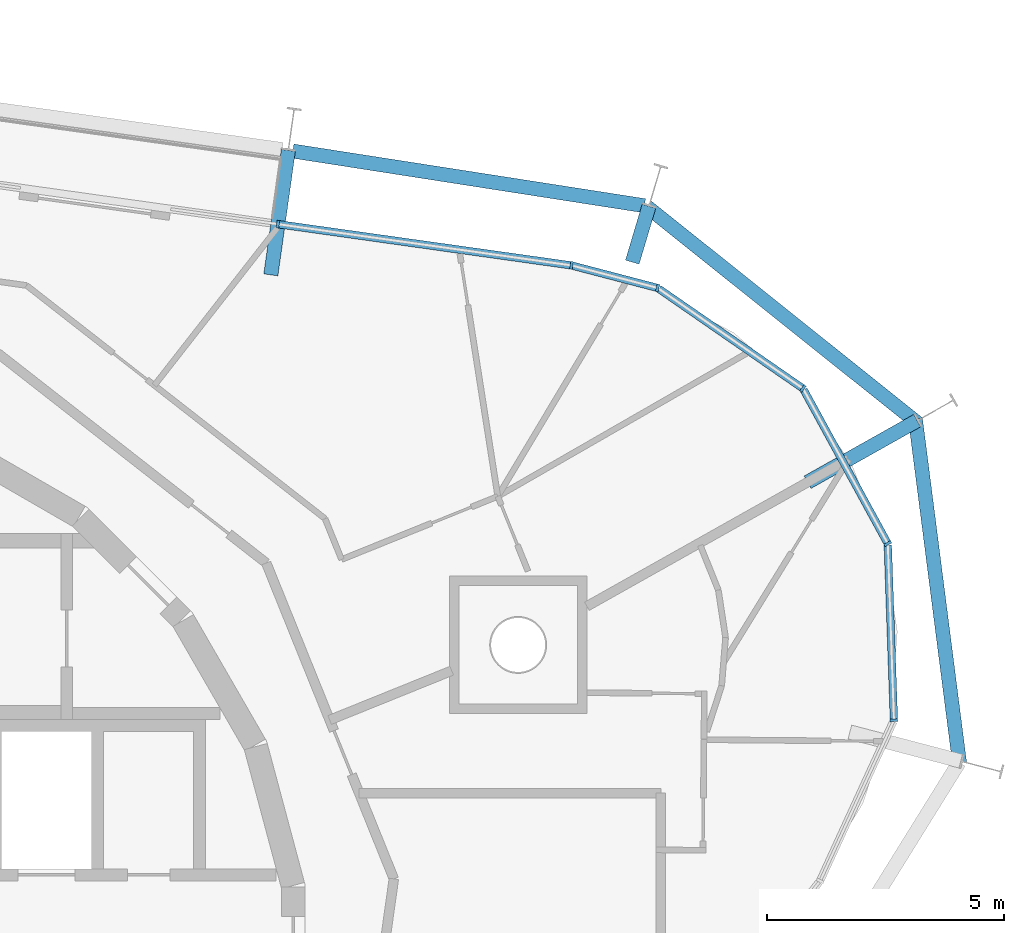
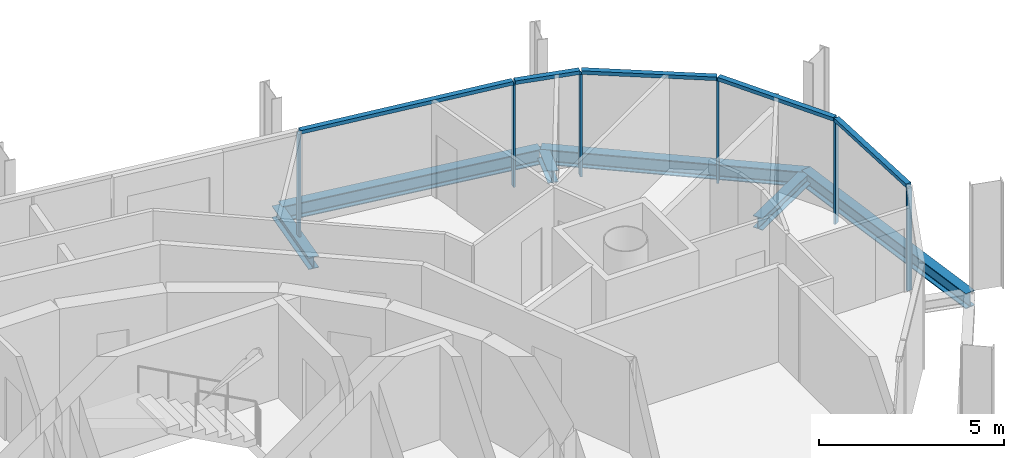
# One storey, part 7 of 15: 11 members, 6 beams, 2 elements without a shape of their own.
"""IFC4 building model written with IfcOpenShell, lengths in metres."""

from ifc_helpers import new_model, si_unit, direction, frame, origin, origin_2d, place, context, subcontext, project, spatial, rectangle, i_section, extrude, material, layer, layer_set, material_profile, profile_set, type_object, element, aggregate, save


model = new_model("IFC4")

# Units and contexts
model_context = context("Model", 3, precision=1e-05, world=origin(), true_north=direction((0.0, 1.0)))
body_context = subcontext(model_context, "Body", "Model", "MODEL_VIEW")
ifc_project = project(units=[si_unit("LENGTHUNIT", "METRE"), si_unit("AREAUNIT", "SQUARE_METRE"), si_unit("VOLUMEUNIT", "CUBIC_METRE"), si_unit("PLANEANGLEUNIT", "RADIAN"), si_unit("MASSUNIT", "GRAM", prefix="KILO")], contexts=[model_context])

# Site, building, storey
site_placement = place(None, origin())
site = spatial("IfcSite", under=ifc_project, at=site_placement, CompositionType="ELEMENT")
building_placement = place(site_placement, origin())
building = spatial("IfcBuilding", under=site, at=building_placement, Name="Spindle Arch Residences", CompositionType="ELEMENT")
storey_placement = place(building_placement, frame((0.0, 0.0, 350.5)))
storey = spatial("IfcBuildingStorey", under=building, at=storey_placement, Name="L90", CompositionType="ELEMENT", Elevation=350.5)

# Curtain wall, members
ifc_material_1 = material(Name="Aluminium bronze unitised frame with tinted glass", Category="aluminium")
ifc_layer_1 = layer(ifc_material_1, 0.159912109375)
ifc_layer_set_1 = layer_set([ifc_layer_1], Name="CW-D corner wall on the fillet arcs")
curtain_wall_type_1 = type_object("IfcCurtainWallType", Name="CW-D corner wall on the fillet arcs", PredefinedType="NOTDEFINED", material=ifc_layer_set_1)
curtain_wall_1_placement = place(storey_placement, origin())
curtain_wall_1 = element("IfcCurtainWall", 1, at=curtain_wall_1_placement, inside=storey, type_object=curtain_wall_type_1, Name="CW-D L90 run 1", PredefinedType="NOTDEFINED")
ifc_material_2 = material(Name="Aluminium bronze anodised mullion", Category="aluminium")
ifc_material_profile_1 = material_profile(ifc_material_2, rectangle(XDim=0.159912109375, YDim=0.06005859375, at=origin_2d()), Name="MU 60x160")
ifc_profile_set_1 = profile_set([ifc_material_profile_1], Name="Aluminium bronze anodised mullion")
member_type_1 = type_object("IfcMemberType", Name="Bronze mullion 60x160", PredefinedType="MULLION", material=ifc_profile_set_1)
member_1_placement = place(storey_placement, frame((24.31201171875, 5.033935546875, -0.3798828125), z_axis=(0.0, 0.0, 1.0), x_axis=(-0.999390827004, -0.034899497139, 0.0)))
member_1 = element("IfcMember", 2, at=member_1_placement, type_object=member_type_1, Name="CW-D mullion 02", PredefinedType="MULLION", context=body_context, shape_type="SweptSolid", body=[
    extrude(rectangle(XDim=0.159912109375, YDim=0.06005859375, at=origin_2d()), origin(), (0.0, 0.0, 1.0), 3.3798828125),
])
member_2_placement = place(storey_placement, frame((24.18212890625, 8.758544921875, -0.3798828125), z_axis=(0.0, 0.0, 1.0), x_axis=(-0.877425397533, -0.479713114021, 0.0)))
member_2 = element("IfcMember", 3, at=member_2_placement, type_object=member_type_1, Name="CW-D mullion 03", PredefinedType="MULLION", context=body_context, shape_type="SweptSolid", body=[
    extrude(rectangle(XDim=0.159912109375, YDim=0.06005859375, at=origin_2d()), origin(), (0.0, 0.0, 1.0), 3.3798828125),
])
member_3_placement = place(storey_placement, frame((22.394287109375, 12.0283203125, -0.3798828125), z_axis=(0.0, 0.0, 1.0), x_axis=(-0.568801123739, -0.822475094841, 0.0)))
member_3 = element("IfcMember", 4, at=member_3_placement, type_object=member_type_1, Name="CW-D mullion 04", PredefinedType="MULLION", context=body_context, shape_type="SweptSolid", body=[
    extrude(rectangle(XDim=0.159912109375, YDim=0.06005859375, at=origin_2d()), origin(), (0.0, 0.0, 1.0), 3.3798828125),
])
member_4_placement = place(storey_placement, frame((19.3291015625, 14.148193359375, -0.3798828125), z_axis=(0.0, 0.0, 1.0), x_axis=(-0.25319517245, -0.967415218326, 0.0)))
member_4 = element("IfcMember", 5, at=member_4_placement, type_object=member_type_1, Name="CW-D mullion 05", PredefinedType="MULLION", context=body_context, shape_type="SweptSolid", body=[
    extrude(rectangle(XDim=0.159912109375, YDim=0.06005859375, at=origin_2d()), origin(), (0.0, 0.0, 1.0), 3.3798828125),
])
member_5_placement = place(storey_placement, frame((17.51416015625, 14.623291015625, -0.3798828125), z_axis=(0.0, 0.0, 1.0), x_axis=(-0.13917310096, -0.990268068742, 0.0)))
member_5 = element("IfcMember", 6, at=member_5_placement, type_object=member_type_1, Name="CW-D mullion 06", PredefinedType="MULLION", context=body_context, shape_type="SweptSolid", body=[
    extrude(rectangle(XDim=0.159912109375, YDim=0.06005859375, at=origin_2d()), origin(), (0.0, 0.0, 1.0), 3.3798828125),
])

# Curtain wall, member
ifc_material_3 = material(Name="Aluminium bronze unitised frame with tinted glass", Category="aluminium")
ifc_layer_2 = layer(ifc_material_3, 0.159912109375)
ifc_layer_set_2 = layer_set([ifc_layer_2], Name="CW-C typical residential unitised wall")
curtain_wall_type_2 = type_object("IfcCurtainWallType", Name="CW-C typical residential unitised wall", PredefinedType="NOTDEFINED", material=ifc_layer_set_2)
curtain_wall_2_placement = place(storey_placement, origin())
curtain_wall_2 = element("IfcCurtainWall", 7, at=curtain_wall_2_placement, inside=storey, type_object=curtain_wall_type_2, Name="CW-C L90 run 2", PredefinedType="NOTDEFINED")
member_6_placement = place(storey_placement, frame((11.326171875, 15.492919921875, -0.3798828125), z_axis=(0.0, 0.0, 1.0), x_axis=(-0.13917310096, -0.990268068742, 0.0)))
member_6 = element("IfcMember", 8, at=member_6_placement, type_object=member_type_1, Name="CW-C mullion 05", PredefinedType="MULLION", context=body_context, shape_type="SweptSolid", body=[
    extrude(rectangle(XDim=0.159912109375, YDim=0.06005859375, at=origin_2d()), origin(), (0.0, 0.0, 1.0), 3.3798828125),
])
aggregate(curtain_wall_2, [member_6])

# Member
ifc_material_4 = material(Name="Aluminium bronze anodised transom", Category="aluminium")
ifc_material_profile_2 = material_profile(ifc_material_4, rectangle(XDim=0.159912109375, YDim=0.1201171875, at=origin_2d()), Name="TR 120x160")
ifc_profile_set_2 = profile_set([ifc_material_profile_2], Name="Aluminium bronze anodised transom")
member_type_2 = type_object("IfcMemberType", Name="Bronze transom 120x160", PredefinedType="USERDEFINED", material=ifc_profile_set_2)
member_7_placement = place(storey_placement, frame((24.31103515625, 5.06396484375, 3.06005859375), z_axis=(-0.034888806725, 0.999391200264, 0.0), x_axis=(-0.999391200264, -0.034888806725, 0.0)))
member_7 = element("IfcMember", 9, at=member_7_placement, type_object=member_type_2, Name="CW-D transom 02", ObjectType="TRANSOM", PredefinedType="USERDEFINED", context=body_context, shape_type="SweptSolid", body=[
    extrude(rectangle(XDim=0.159912109375, YDim=0.1201171875, at=origin_2d()), origin(), (0.0, 0.0, 1.0), 3.666748046875),
])

member_8_placement = place(storey_placement, frame((24.167724609375, 8.784912109375, 3.06005859375), z_axis=(-0.479724247399, 0.877419310511, 0.0), x_axis=(-0.877419310511, -0.479724247399, 0.0)))
member_8 = element("IfcMember", 10, at=member_8_placement, type_object=member_type_2, Name="CW-D transom 03", ObjectType="TRANSOM", PredefinedType="USERDEFINED", context=body_context, shape_type="SweptSolid", body=[
    extrude(rectangle(XDim=0.159912109375, YDim=0.1201171875, at=origin_2d()), origin(), (0.0, 0.0, 1.0), 3.666748046875),
])

member_9_placement = place(storey_placement, frame((22.36962890625, 12.04541015625, 3.06005859375), z_axis=(-0.822474926174, 0.568801367628, 0.0), x_axis=(-0.568801367628, -0.822474926174, 0.0)))
member_9 = element("IfcMember", 11, at=member_9_placement, type_object=member_type_2, Name="CW-D transom 04", ObjectType="TRANSOM", PredefinedType="USERDEFINED", context=body_context, shape_type="SweptSolid", body=[
    extrude(rectangle(XDim=0.159912109375, YDim=0.1201171875, at=origin_2d()), origin(), (0.0, 0.0, 1.0), 3.666748046875),
])

member_10_placement = place(storey_placement, frame((19.300048828125, 14.15576171875, 3.06005859375), z_axis=(-0.96739418578, 0.253275520568, 0.0), x_axis=(-0.253275520568, -0.96739418578, 0.0)))
member_10 = element("IfcMember", 12, at=member_10_placement, type_object=member_type_2, Name="CW-D transom 05", ObjectType="TRANSOM", PredefinedType="USERDEFINED", context=body_context, shape_type="SweptSolid", body=[
    extrude(rectangle(XDim=0.159912109375, YDim=0.1201171875, at=origin_2d()), origin(), (0.0, 0.0, 1.0), 1.816162109375),
])

member_11_placement = place(storey_placement, frame((17.484375, 14.62744140625, 3.06005859375), z_axis=(-0.990267285989, 0.139178670423, 0.0), x_axis=(-0.139178670423, -0.990267285989, 0.0)))
member_11 = element("IfcMember", 13, at=member_11_placement, type_object=member_type_2, Name="CW-D transom 06", ObjectType="TRANSOM", PredefinedType="USERDEFINED", context=body_context, shape_type="SweptSolid", body=[
    extrude(rectangle(XDim=0.159912109375, YDim=0.1201171875, at=origin_2d()), origin(), (0.0, 0.0, 1.0), 6.188720703125),
])

aggregate(curtain_wall_1, [member_1, member_7, member_2, member_8, member_3, member_9, member_4, member_10, member_5, member_11])

# Beams
ifc_material_5 = material(Name="Steel S460ML, intumescent coating R 120", Category="steel")
ifc_material_profile_3 = material_profile(ifc_material_5, i_section(OverallWidth=0.300048828125, OverallDepth=0.5, WebThickness=0.014404296875, FlangeThickness=0.028076171875, FilletRadius=0.027099609375, at=origin_2d()), Name="HEB 500")
ifc_profile_set_3 = profile_set([ifc_material_profile_3], Name="Steel S460ML, intumescent coating R 120")
beam_type_1 = type_object("IfcBeamType", Name="Exoskeleton edge beam HEB 500", PredefinedType="BEAM", material=ifc_profile_set_3)
beam_1_placement = place(storey_placement, frame((25.69580078125, 4.128662109375, -0.6298828125), z_axis=(-0.127344466516, 0.991858551835, 0.0), x_axis=(-0.991858551835, -0.127344466516, 0.0)))
element("IfcBeam", 14, at=beam_1_placement, inside=storey, type_object=beam_type_1, Name="Exoskeleton edge beam 3", PredefinedType="BEAM", context=body_context, shape_type="SweptSolid", body=[
    extrude(i_section(OverallWidth=0.300048828125, OverallDepth=0.5, WebThickness=0.014404296875, FlangeThickness=0.028076171875, FilletRadius=0.027099609375, at=origin_2d()), origin(), (0.0, 0.0, 1.0), 7.31591796875),
])
beam_2_placement = place(storey_placement, frame((24.811279296875, 11.30078125, -0.6298828125), z_axis=(-0.781184527882, 0.624300194937, 0.0), x_axis=(-0.624300194937, -0.781184527882, 0.0)))
element("IfcBeam", 15, at=beam_2_placement, inside=storey, type_object=beam_type_1, Name="Exoskeleton edge beam 4", PredefinedType="BEAM", context=body_context, shape_type="SweptSolid", body=[
    extrude(i_section(OverallWidth=0.300048828125, OverallDepth=0.5, WebThickness=0.014404296875, FlangeThickness=0.028076171875, FilletRadius=0.027099609375, at=origin_2d()), origin(), (0.0, 0.0, 1.0), 7.315673828125),
])
beam_3_placement = place(storey_placement, frame((19.051513671875, 15.881103515625, -0.6298828125), z_axis=(-0.988123169285, 0.15366392655, 0.0), x_axis=(-0.15366392655, -0.988123169285, 0.0)))
element("IfcBeam", 16, at=beam_3_placement, inside=storey, type_object=beam_type_1, Name="Exoskeleton edge beam 5", PredefinedType="BEAM", context=body_context, shape_type="SweptSolid", body=[
    extrude(i_section(OverallWidth=0.300048828125, OverallDepth=0.5, WebThickness=0.014404296875, FlangeThickness=0.028076171875, FilletRadius=0.027099609375, at=origin_2d()), origin(), (0.0, 0.0, 1.0), 7.500732421875),
])
ifc_material_6 = material(Name="Steel S460ML, intumescent coating R 120", Category="steel")
ifc_material_profile_4 = material_profile(ifc_material_6, i_section(OverallWidth=0.300048828125, OverallDepth=0.389892578125, WebThickness=0.010986328125, FlangeThickness=0.01904296875, FilletRadius=0.027099609375, at=origin_2d()), Name="HEA 400")
ifc_profile_set_4 = profile_set([ifc_material_profile_4], Name="Steel S460ML, intumescent coating R 120")
beam_type_2 = type_object("IfcBeamType", Name="Floor outrigger HEA 400", PredefinedType="BEAM", material=ifc_profile_set_4)
beam_4_placement = place(storey_placement, frame((24.801513671875, 11.3505859375, -0.574951171875), z_axis=(-0.871686240554, -0.490064381514, 0.0), x_axis=(0.490064381514, -0.871686240554, 0.0)))
element("IfcBeam", 17, at=beam_4_placement, inside=storey, type_object=beam_type_2, Name="Floor outrigger 4", PredefinedType="BEAM", context=body_context, shape_type="SweptSolid", body=[
    extrude(i_section(OverallWidth=0.300048828125, OverallDepth=0.389892578125, WebThickness=0.010986328125, FlangeThickness=0.01904296875, FilletRadius=0.027099609375, at=origin_2d()), origin(), (0.0, 0.0, 1.0), 2.64990234375),
])
beam_5_placement = place(storey_placement, frame((19.147216796875, 15.869384765625, -0.574951171875), z_axis=(-0.285798722121, -0.958289669377, 0.0), x_axis=(0.958289669377, -0.285798722121, 0.0)))
element("IfcBeam", 18, at=beam_5_placement, inside=storey, type_object=beam_type_2, Name="Floor outrigger 5", PredefinedType="BEAM", context=body_context, shape_type="SweptSolid", body=[
    extrude(i_section(OverallWidth=0.300048828125, OverallDepth=0.389892578125, WebThickness=0.010986328125, FlangeThickness=0.01904296875, FilletRadius=0.027099609375, at=origin_2d()), origin(), (0.0, 0.0, 1.0), 1.229248046875),
])
beam_6_placement = place(storey_placement, frame((11.544921875, 17.047607421875, -0.574951171875), z_axis=(-0.1392026036, -0.990263921968, 0.0), x_axis=(0.990263921968, -0.1392026036, 0.0)))
element("IfcBeam", 19, at=beam_6_placement, inside=storey, type_object=beam_type_2, Name="Floor outrigger 6", PredefinedType="BEAM", context=body_context, shape_type="SweptSolid", body=[
    extrude(i_section(OverallWidth=0.300048828125, OverallDepth=0.389892578125, WebThickness=0.010986328125, FlangeThickness=0.01904296875, FilletRadius=0.027099609375, at=origin_2d()), origin(), (0.0, 0.0, 1.0), 2.650146484375),
])

save(model, "model.ifc")
